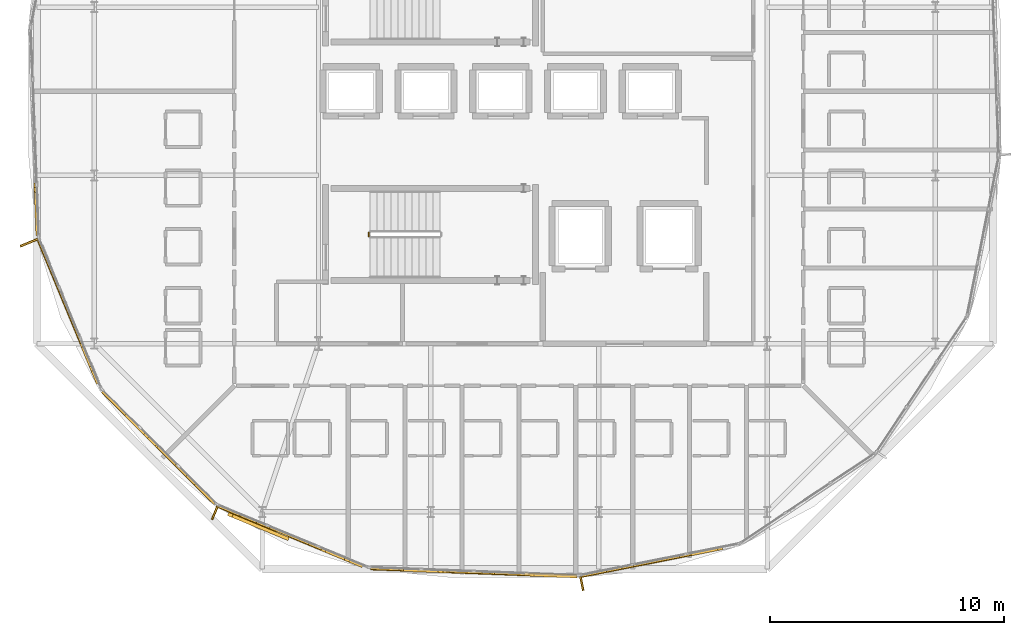
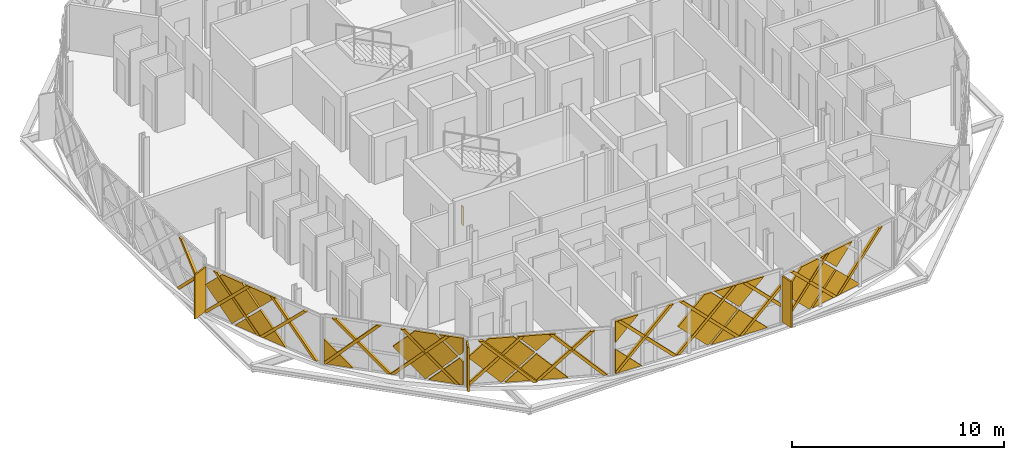
# One storey, part 20 of 24: 41 coverings, 3 shading devices, 1 railing.
"""IFC4 building model written with IfcOpenShell, lengths in metres."""

from ifc_helpers import new_model, si_unit, direction, frame, origin, origin_2d, place, context, subcontext, project, spatial, polyline, rectangle, circle, outline, extrude, material, layer, layer_set, type_object, element, save


model = new_model("IFC4")

# Units and contexts
model_context = context("Model", 3, precision=1e-05, world=origin(), true_north=direction((0.0, 1.0)))
body_context = subcontext(model_context, "Body", "Model", "MODEL_VIEW")
ifc_project = project(units=[si_unit("LENGTHUNIT", "METRE"), si_unit("AREAUNIT", "SQUARE_METRE"), si_unit("VOLUMEUNIT", "CUBIC_METRE"), si_unit("PLANEANGLEUNIT", "RADIAN"), si_unit("MASSUNIT", "GRAM", prefix="KILO")], contexts=[model_context])

# Site, building, storey
site_placement = place(None, origin())
site = spatial("IfcSite", under=ifc_project, at=site_placement, CompositionType="ELEMENT")
building_placement = place(site_placement, origin())
building = spatial("IfcBuilding", under=site, at=building_placement, Name="Zevrakil Square Congress Hotel", CompositionType="ELEMENT")
storey_placement = place(building_placement, frame((0.0, 0.0, 31.699951171875)))
storey = spatial("IfcBuildingStorey", under=building, at=storey_placement, Name="L09", CompositionType="ELEMENT", Elevation=31.699951171875)

# Coverings
ifc_material_1 = material(Name="Architectural White Fibre-C GRC", Category="concrete")
ifc_layer_1 = layer(ifc_material_1, 0.06494140625)
ifc_layer_set_1 = layer_set([ifc_layer_1], Name="Architectural White Fibre-C GRC")
covering_type_1 = type_object("IfcCoveringType", Name="COV-DIA-WHITE", PredefinedType="CLADDING", material=ifc_layer_set_1)
covering_1_placement = place(storey_placement, frame((151.273681640625, 7.4482421875, 1.590087890625), z_axis=(0.195074358725, -0.980788280172, 0.000586553491), x_axis=(0.693609627274, 0.137532945708, -0.707099974401)))
element("IfcCovering", 1, at=covering_1_placement, inside=storey, type_object=covering_type_1, Name="L09 45-degree white GRC diamond facade cassette 2933", PredefinedType="CLADDING", context=body_context, shape_type="SweptSolid", body=[
    extrude(outline(polyline([(0.0, 0.0), (2.135496846686384, 0.0), (6.252147105900718e-05, -2.1353939480228528), (0.0, 0.0)])), origin(), (0.0, 0.0, -1.0), 0.1201171875),
])
covering_2_placement = place(storey_placement, frame((151.185546875, 7.4306640625, 1.679931640625), z_axis=(0.195078415916, -0.980787456058, 0.000614558778), x_axis=(-0.693480466559, -0.138376160193, -0.707062147757)))
element("IfcCovering", 2, at=covering_2_placement, inside=storey, type_object=covering_type_1, Name="L09 45-degree white GRC diamond facade cassette 2934", PredefinedType="CLADDING", context=body_context, shape_type="SweptSolid", body=[
    extrude(outline(polyline([(0.0, 0.0), (2.2485204282701696, -2.220446049250313e-16), (2.248599375320655, -2.2345065726326294), (2.2346169451526086, -2.2484907627510533), (0.7000792548660321, -2.2487617419884307), (2.374748822731032e-05, -1.5487943335127947), (0.0, 0.0)])), origin(), (0.0, 0.0, -1.0), 0.1201171875),
])
covering_3_placement = place(storey_placement, frame((151.273681640625, 7.4482421875, 1.77001953125), z_axis=(0.195088115794, -0.980785458855, 0.00071468457), x_axis=(-0.693492576335, -0.137427312625, 0.707235307598)))
element("IfcCovering", 3, at=covering_3_placement, inside=storey, type_object=covering_type_1, Name="L09 45-degree white GRC diamond facade cassette 2935", PredefinedType="CLADDING", context=body_context, shape_type="SweptSolid", body=[
    extrude(outline(polyline([(0.0, 0.0), (1.4212058452501029, -1.1102230246251565e-16), (0.0003153849459661684, -1.421407860349186), (0.0, 0.0)])), origin(), (0.0, 0.0, -1.0), 0.1201171875),
])
covering_4_placement = place(storey_placement, frame((126.02880859375, 18.197021484375, 1.590087890625), z_axis=(-0.923880735009, -0.382680146954, 0.000540931678), x_axis=(0.270254610078, -0.653458270391, -0.707074772983)))
element("IfcCovering", 4, at=covering_4_placement, inside=storey, type_object=covering_type_1, Name="L09 45-degree white GRC diamond facade cassette 3047", PredefinedType="CLADDING", context=body_context, shape_type="SweptSolid", body=[
    extrude(outline(polyline([(0.0, 0.0), (2.135572959638723, -2.220446049250313e-16), (-0.0001106088210092171, -2.135490856824391), (0.0, 0.0)])), origin(), (0.0, 0.0, -1.0), 0.1201171875),
])
covering_5_placement = place(storey_placement, frame((125.994384765625, 18.280029296875, 1.679931640625), z_axis=(-0.923902845138, -0.382626702795, 0.00058228254), x_axis=(-0.270956088918, 0.653183352731, -0.707060326701)))
element("IfcCovering", 5, at=covering_5_placement, inside=storey, type_object=covering_type_1, Name="L09 45-degree white GRC diamond facade cassette 3048", PredefinedType="CLADDING", context=body_context, shape_type="SweptSolid", body=[
    extrude(outline(polyline([(0.0, 0.0), (2.2485262058963897, 0.0), (2.2485302153728073, -2.234425801271755), (2.2345478212168612, -2.2484100279377883), (0.841567424737828, -2.2486734724679636), (0.00010801478244593099, -1.4073243506448292), (0.0, 0.0)])), origin(), (0.0, 0.0, -1.0), 0.1201171875),
])
covering_6_placement = place(storey_placement, frame((126.029052734375, 18.197021484375, 1.77001953125), z_axis=(-0.923829248678, -0.382804410534, 0.000550056839), x_axis=(-0.27030782475, 0.653355186851, 0.707149686907)))
element("IfcCovering", 6, at=covering_6_placement, inside=storey, type_object=covering_type_1, Name="L09 45-degree white GRC diamond facade cassette 3049", PredefinedType="CLADDING", context=body_context, shape_type="SweptSolid", body=[
    extrude(outline(polyline([(0.0, 0.0), (1.2798270488287815, -1.1102230246251565e-16), (5.08570842867595e-05, -1.2799319013302108), (0.0, 0.0)])), origin(), (0.0, 0.0, -1.0), 0.1201171875),
])
covering_7_placement = place(storey_placement, frame((128.51171875, 13.729736328125, 0.080078125), z_axis=(-0.707106696378, -0.707106696378, 0.000489770872), x_axis=(-0.707106781187, 0.707106781187, 0.0)))
element("IfcCovering", 7, at=covering_7_placement, inside=storey, type_object=covering_type_1, Name="L09 45-degree white GRC diamond facade cassette 3054", PredefinedType="CLADDING", context=body_context, shape_type="SweptSolid", body=[
    extrude(outline(polyline([(0.0, 0.0), (1.4100703585770802, 0.0), (1.4100703585770802, -1.4099122784767215), (0.0, 0.0)])), origin(), (0.0, 0.0, -1.0), 0.1201171875),
])
covering_8_placement = place(storey_placement, frame((132.1962890625, 10.04638671875, 1.590087890625), z_axis=(-0.707131996288, -0.707081337668, 0.000567227862), x_axis=(0.499744388128, -0.500347388263, -0.707041750955)))
element("IfcCovering", 8, at=covering_8_placement, inside=storey, type_object=covering_type_1, Name="L09 45-degree white GRC diamond facade cassette 3055", PredefinedType="CLADDING", context=body_context, shape_type="SweptSolid", body=[
    extrude(outline(polyline([(0.0, 0.0), (0.26242709034075595, -2.7755575615628914e-17), (1.198877946036626, -0.9366227718015449), (-0.00020670090053709345, -2.1354873319760017), (0.0, 0.0)])), origin(), (0.0, 0.0, -1.0), 0.1201171875),
])
covering_9_placement = place(storey_placement, frame((132.1328125, 10.110107421875, 1.679931640625), z_axis=(-0.707058693062, -0.70715460033, 0.00061302236), x_axis=(-0.500357763627, 0.499676943523, -0.70708207479)))
element("IfcCovering", 9, at=covering_9_placement, inside=storey, type_object=covering_type_1, Name="L09 45-degree white GRC diamond facade cassette 3056", PredefinedType="CLADDING", context=body_context, shape_type="SweptSolid", body=[
    extrude(outline(polyline([(0.0, 0.0), (2.24845711423834, 2.220446049250313e-16), (2.2487353541548294, -2.248579102470821), (0.7001314465566927, -2.248896930265378), (3.38237140101727e-05, -1.5488480562446), (0.0, 0.0)])), origin(), (0.0, 0.0, -1.0), 0.1201171875),
])
covering_10_placement = place(storey_placement, frame((132.1962890625, 10.04638671875, 1.77001953125), z_axis=(-0.707082818632, -0.707130415201, 0.000680803282), x_axis=(-0.499662734915, 0.500309901898, 0.707125981279)))
element("IfcCovering", 10, at=covering_10_placement, inside=storey, type_object=covering_type_1, Name="L09 45-degree white GRC diamond facade cassette 3057", PredefinedType="CLADDING", context=body_context, shape_type="SweptSolid", body=[
    extrude(outline(polyline([(0.0, 0.0), (1.4214256115779025, 2.220446049250313e-16), (0.5796517708232809, -0.8418199076616137), (-1.6900129689967347e-05, -0.2624270937668559), (0.0, 0.0)])), origin(), (0.0, 0.0, -1.0), 0.1201171875),
])
covering_11_placement = place(storey_placement, frame((135.532958984375, 8.538330078125, 1.590087890625), z_axis=(-0.382611128731, -0.923909273244, 0.000615618294), x_axis=(0.653140417013, -0.27095095192, -0.707101956805)))
element("IfcCovering", 11, at=covering_11_placement, inside=storey, type_object=covering_type_1, Name="L09 45-degree white GRC diamond facade cassette 3062", PredefinedType="CLADDING", context=body_context, shape_type="SweptSolid", body=[
    extrude(outline(polyline([(0.0, 0.0), (2.13549085968891, 0.0), (-4.4462938671108176e-05, -2.1355069919827674), (0.0, 0.0)])), origin(), (0.0, 0.0, -1.0), 0.1201171875),
])
covering_12_placement = place(storey_placement, frame((135.44970703125, 8.57275390625, 1.679931640625), z_axis=(-0.382684520181, -0.923878902691, 0.000575478893), x_axis=(-0.653457186754, 0.270231344112, -0.707084666598)))
element("IfcCovering", 12, at=covering_12_placement, inside=storey, type_object=covering_type_1, Name="L09 45-degree white GRC diamond facade cassette 3063", PredefinedType="CLADDING", context=body_context, shape_type="SweptSolid", body=[
    extrude(outline(polyline([(0.0, 0.0), (2.2484488560231837, 0.0), (2.2485193720370895, -2.2345692460699214), (2.2345364965501626, -2.2485529915616254), (0.8413418647747587, -2.2485542253091104), (-8.859633963920199e-05, -1.4071761527482436), (0.0, 0.0)])), origin(), (0.0, 0.0, -1.0), 0.1201171875),
])
covering_13_placement = place(storey_placement, frame((135.532958984375, 8.538330078125, 1.77001953125), z_axis=(-0.38264155251, -0.923896593124, 0.000726297015), x_axis=(-0.653110918223, 0.271048660863, 0.707091756382)))
element("IfcCovering", 13, at=covering_13_placement, inside=storey, type_object=covering_type_1, Name="L09 45-degree white GRC diamond facade cassette 3064", PredefinedType="CLADDING", context=body_context, shape_type="SweptSolid", body=[
    extrude(outline(polyline([(0.0, 0.0), (1.2799319023405937, 0.0), (-4.2424000285645747e-05, -1.2799206087006725), (0.0, 0.0)])), origin(), (0.0, 0.0, -1.0), 0.1201171875),
])
covering_14_placement = place(storey_placement, frame((140.4423828125, 7.077392578125, 0.080078125), z_axis=(-0.038266868807, -0.999267420307, 0.000519099959), x_axis=(-0.999267554941, 0.038266873963, 0.0)))
element("IfcCovering", 14, at=covering_14_placement, inside=storey, type_object=covering_type_1, Name="L09 45-degree white GRC diamond facade cassette 3069", PredefinedType="CLADDING", context=body_context, shape_type="SweptSolid", body=[
    extrude(outline(polyline([(0.0, 0.0), (1.4099682711690467, -3.3881317890172014e-21), (1.4099962986646253, -1.4099122993358575), (0.0, 0.0)])), origin(), (0.0, 0.0, -1.0), 0.1201171875),
])
covering_15_placement = place(storey_placement, frame((145.648681640625, 6.87939453125, 1.590087890625), z_axis=(-0.038156797591, -0.99927155725, 0.000643170223), x_axis=(0.706611906903, -0.027436799491, -0.707069186895)))
element("IfcCovering", 15, at=covering_15_placement, inside=storey, type_object=covering_type_1, Name="L09 45-degree white GRC diamond facade cassette 3070", PredefinedType="CLADDING", context=body_context, shape_type="SweptSolid", body=[
    extrude(outline(polyline([(0.0, 0.0), (2.135589831394509, 0.0), (-9.768554505296123e-07, -2.135364626428455), (0.0, 0.0)])), origin(), (0.0, 0.0, -1.0), 0.1201171875),
])
covering_16_placement = place(storey_placement, frame((145.558837890625, 6.8828125, 1.679931640625), z_axis=(-0.03821906981, -0.999269223756, 0.000566706289), x_axis=(-0.706638437158, 0.026625818176, -0.707073677163)))
element("IfcCovering", 16, at=covering_16_placement, inside=storey, type_object=covering_type_1, Name="L09 45-degree white GRC diamond facade cassette 3071", PredefinedType="CLADDING", context=body_context, shape_type="SweptSolid", body=[
    extrude(outline(polyline([(0.0, 0.0), (2.248483901407563, -2.220446049250313e-16), (2.2487464735110394, -2.2485366895807988), (0.25463699878034474, -2.248782545825134), (-2.0252730609016112e-05, -1.9941491285528423), (0.0, 0.0)])), origin(), (0.0, 0.0, -1.0), 0.1201171875),
])
covering_17_placement = place(storey_placement, frame((139.033447265625, 7.13232421875, 1.8701171875), z_axis=(-0.038225589729, -0.999268950357, 0.000607571031), x_axis=(0.000200120032, 0.000600360096, 0.99999979976)))
element("IfcCovering", 17, at=covering_17_placement, inside=storey, type_object=covering_type_1, Name="L09 45-degree white GRC diamond facade cassette 3072", PredefinedType="CLADDING", context=body_context, shape_type="SweptSolid", body=[
    extrude(outline(polyline([(0.0, 0.0), (1.219970947412173, 2.710505431213761e-20), (1.2201868972513605, -1.2198856935343574), (0.0, 0.0)])), origin(), (0.0, 0.0, -1.0), 0.1201171875),
])
covering_18_placement = place(storey_placement, frame((145.648681640625, 6.87939453125, 1.77001953125), z_axis=(-0.03828395643, -0.999266746814, 0.000554429488), x_axis=(-0.7065784803, 0.027462794903, 0.707101581156)))
element("IfcCovering", 18, at=covering_18_placement, inside=storey, type_object=covering_type_1, Name="L09 45-degree white GRC diamond facade cassette 3073", PredefinedType="CLADDING", context=body_context, shape_type="SweptSolid", body=[
    extrude(outline(polyline([(0.0, 0.0), (1.866872305981455, 0.0), (1.2771016975055005e-05, -1.8668326515089118), (0.0, 0.0)])), origin(), (0.0, 0.0, -1.0), 0.1201171875),
])
ifc_material_2 = material(Name="Anodised Champagne Aluminium", Category="aluminium")
ifc_layer_2 = layer(ifc_material_2, 0.0849609375)
ifc_layer_set_2 = layer_set([ifc_layer_2], Name="Anodised Champagne Aluminium")
covering_type_2 = type_object("IfcCoveringType", Name="COV-DIAGRID-45", PredefinedType="MOLDING", material=ifc_layer_set_2)
covering_19_placement = place(storey_placement, frame((148.166015625, 6.8037109375, 0.080078125), z_axis=(0.195546814739, -0.980694357515, 0.000142772506), x_axis=(-0.98069436751, -0.195546816733, -3.526e-09)))
element("IfcCovering", 19, at=covering_19_placement, inside=storey, type_object=covering_type_2, Name="L09 45-degree aluminium diagrid rib 2936", PredefinedType="MOLDING", context=body_context, shape_type="SweptSolid", body=[
    extrude(outline(polyline([(0.0, 0.0), (0.0861359818146956, 4.235164736271502e-22), (0.08613598137052893, -0.1259765612160476), (-2.482573837165113, -2.695068378538668), (-2.6949213113669033, -2.69506837488321), (0.0, 0.0)])), origin(), (0.0, 0.0, -1.0), 0.14501953125),
])
covering_20_placement = place(storey_placement, frame((151.461181640625, 7.458984375, 0.080078125), z_axis=(0.195230031375, -0.980757355257, 0.000494932637), x_axis=(-0.980757475401, -0.195230055178, 2.24052e-07)))
element("IfcCovering", 20, at=covering_20_placement, inside=storey, type_object=covering_type_2, Name="L09 45-degree aluminium diagrid rib 2937", PredefinedType="MOLDING", context=body_context, shape_type="SweptSolid", body=[
    extrude(outline(polyline([(0.0, 0.0), (0.21182092062778818, 0.0), (-2.4830995181155475, -2.695069245808016), (-2.6952075450740436, -2.6950693407901056), (0.0, 0.0)])), origin(), (0.0, 0.0, -1.0), 0.14501953125),
])
covering_21_placement = place(storey_placement, frame((148.452880859375, 6.8623046875, 2.775146484375), z_axis=(0.195673274055, -0.980668408794, 0.001200755303), x_axis=(0.980669115765, 0.195673415118, 0.0)))
element("IfcCovering", 21, at=covering_21_placement, inside=storey, type_object=covering_type_2, Name="L09 45-degree aluminium diagrid rib 2938", PredefinedType="MOLDING", context=body_context, shape_type="SweptSolid", body=[
    extrude(outline(polyline([(0.0, 0.0), (0.21210804863334146, 0.0), (2.9071266052168188, -2.6950703022697997), (2.695018556583477, -2.6950703022697997), (0.0, 0.0)])), origin(), (0.0, 0.0, -1.0), 0.14501953125),
])
covering_22_placement = place(storey_placement, frame((124.62890625, 23.454345703125, 0.080078125), z_axis=(-0.999283555016, -0.037832596529, 0.001035043295), x_axis=(-0.037832616918, 0.999284090285, -1.1882e-07)))
element("IfcCovering", 22, at=covering_22_placement, inside=storey, type_object=covering_type_2, Name="L09 45-degree aluminium diagrid rib 3043", PredefinedType="MOLDING", context=body_context, shape_type="SweptSolid", body=[
    extrude(outline(polyline([(0.0, 0.0), (0.21231112080472014, -1.6940658945086007e-21), (-2.0232647887782442, -2.2353525194781594), (-2.023255527090786, -2.0231941774831723), (0.0, 0.0)])), origin(), (0.0, 0.0, -1.0), 0.14501953125),
])
covering_23_placement = place(storey_placement, frame((124.6298828125, 23.4765625, 3.090087890625), z_axis=(-0.99924091742, -0.038932629315, 0.001356218235), x_axis=(0.038932665503, -0.999241836372, 2.82072e-07)))
element("IfcCovering", 23, at=covering_23_placement, inside=storey, type_object=covering_type_2, Name="L09 45-degree aluminium diagrid rib 3046", PredefinedType="MOLDING", context=body_context, shape_type="SweptSolid", body=[
    extrude(outline(polyline([(0.0, 0.0), (0.21207656850544113, 0.0), (2.0453987447087756, -1.8332542160540115), (2.045389179750667, -2.045656695319387), (0.0, 0.0)])), origin(), (0.0, 0.0, -1.0), 0.14501953125),
])
covering_24_placement = place(storey_placement, frame((124.790283203125, 21.119384765625, 0.080078125), z_axis=(-0.923944373947, -0.382526090638, 0.0007640899), x_axis=(-0.382526202349, 0.923944643643, -6.2767e-08)))
element("IfcCovering", 24, at=covering_24_placement, inside=storey, type_object=covering_type_2, Name="L09 45-degree aluminium diagrid rib 3050", PredefinedType="MOLDING", context=body_context, shape_type="SweptSolid", body=[
    extrude(outline(polyline([(0.0, 0.0), (0.08614428494743845, 0.0), (0.08605088685416559, -0.12597669807708173), (-2.3829082403753556, -2.594971289001632), (-2.5951418278332374, -2.5949713698906427), (0.0, 0.0)])), origin(), (0.0, 0.0, -1.0), 0.14501953125),
])
covering_25_placement = place(storey_placement, frame((126.076171875, 18.01513671875, 0.080078125), z_axis=(-0.92384130708, -0.382775370223, 0.000505256113), x_axis=(-0.382775418904, 0.923841425074, 3.7988e-07)))
element("IfcCovering", 25, at=covering_25_placement, inside=storey, type_object=covering_type_2, Name="L09 45-degree aluminium diagrid rib 3051", PredefinedType="MOLDING", context=body_context, shape_type="SweptSolid", body=[
    extrude(outline(polyline([(0.0, 0.0), (0.21214016196546248, -6.776263578034403e-21), (-2.3829075320831508, -2.594971939572244), (-2.5949155978557004, -2.594972100697881), (0.0, 0.0)])), origin(), (0.0, 0.0, -1.0), 0.14501953125),
])
covering_26_placement = place(storey_placement, frame((124.942138671875, 20.757080078125, 2.675048828125), z_axis=(-0.924044876383, -0.382283986242, 0.000142456204), x_axis=(0.382283990117, -0.924044885761, -3.1337e-08)))
element("IfcCovering", 26, at=covering_26_placement, inside=storey, type_object=covering_type_2, Name="L09 45-degree aluminium diagrid rib 3052", PredefinedType="MOLDING", context=body_context, shape_type="SweptSolid", body=[
    extrude(outline(polyline([(0.0, 0.0), (0.2121402167931065, 0.0), (2.807063744350262, -2.5949706414915), (2.5951491244530933, -2.5949706547800178), (0.0, 0.0)])), origin(), (0.0, 0.0, -1.0), 0.14501953125),
])
covering_27_placement = place(storey_placement, frame((126.22802734375, 17.65283203125, 2.675048828125), z_axis=(-0.923925570479, -0.382571920528, 0.000515596091), x_axis=(0.382571971249, -0.92392569334, -2.74116e-07)))
element("IfcCovering", 27, at=covering_27_placement, inside=storey, type_object=covering_type_2, Name="L09 45-degree aluminium diagrid rib 3053", PredefinedType="MOLDING", context=body_context, shape_type="SweptSolid", body=[
    extrude(outline(polyline([(0.0, 0.0), (0.21214019194507489, -6.776263578034403e-21), (2.8072896905951668, -2.594970278525891), (2.5950560972899233, -2.5949703948533673), (0.0, 0.0)])), origin(), (0.0, 0.0, -1.0), 0.14501953125),
])
covering_28_placement = place(storey_placement, frame((127.5576171875, 14.648193359375, 0.080078125), z_axis=(-0.706983956078, -0.707229437499, 0.000456709621), x_axis=(-0.707229510936, 0.706984030131, 9.94526e-07)))
element("IfcCovering", 28, at=covering_28_placement, inside=storey, type_object=covering_type_2, Name="L09 45-degree aluminium diagrid rib 3058", PredefinedType="MOLDING", context=body_context, shape_type="SweptSolid", body=[
    extrude(outline(polyline([(0.0, 0.0), (0.08614408099507039, -3.3881317890172014e-21), (0.08614420628208376, -0.12597654936160965), (-2.482812456699232, -2.6950711391305653), (-2.6949790445229764, -2.695071412159431), (0.0, 0.0)])), origin(), (0.0, 0.0, -1.0), 0.14501953125),
])
covering_29_placement = place(storey_placement, frame((129.93359375, 12.2724609375, 0.080078125), z_axis=(-0.707106663683, -0.707106663683, 0.000576497869), x_axis=(-0.707106781187, 0.707106781187, 0.0)))
element("IfcCovering", 29, at=covering_29_placement, inside=storey, type_object=covering_type_2, Name="L09 45-degree aluminium diagrid rib 3059", PredefinedType="MOLDING", context=body_context, shape_type="SweptSolid", body=[
    extrude(outline(polyline([(0.0, 0.0), (0.21199392756276378, 0.0), (-2.482987508253446, -2.6950688072278175), (-2.694981435816209, -2.6950688072278175), (0.0, 0.0)])), origin(), (0.0, 0.0, -1.0), 0.14501953125),
])
covering_30_placement = place(storey_placement, frame((127.76611328125, 14.4423828125, 2.775146484375), z_axis=(-0.707106636121, -0.707106636121, 0.000640553163), x_axis=(0.707106781187, -0.707106781187, 0.0)))
element("IfcCovering", 30, at=covering_30_placement, inside=storey, type_object=covering_type_2, Name="L09 45-degree aluminium diagrid rib 3060", PredefinedType="MOLDING", context=body_context, shape_type="SweptSolid", body=[
    extrude(outline(polyline([(0.0, 0.0), (0.21199392756276378, 0.0), (2.907147996870474, -2.6950689122797016), (2.694808802324709, -2.6950689122797016), (0.0, 0.0)])), origin(), (0.0, 0.0, -1.0), 0.14501953125),
])
covering_31_placement = place(storey_placement, frame((130.141845703125, 12.06640625, 2.775146484375), z_axis=(-0.706818565447, -0.707394150598, 0.001015499266), x_axis=(0.707394515641, -0.7068189296, 4.12972e-07)))
element("IfcCovering", 31, at=covering_31_placement, inside=storey, type_object=covering_type_2, Name="L09 45-degree aluminium diagrid rib 3061", PredefinedType="MOLDING", context=body_context, shape_type="SweptSolid", body=[
    extrude(outline(polyline([(0.0, 0.0), (0.21216661374355567, -1.3552527156068805e-20), (2.9069733772636006, -2.6950709495049177), (2.694979467259215, -2.6950707743384212), (0.0, 0.0)])), origin(), (0.0, 0.0, -1.0), 0.14501953125),
])
covering_32_placement = place(storey_placement, frame((132.5908203125, 9.72900390625, 0.080078125), z_axis=(-0.382694088277, -0.923874926414, 0.00059593811), x_axis=(-0.923875090481, 0.382694156199, -5.9379e-08)))
element("IfcCovering", 32, at=covering_32_placement, inside=storey, type_object=covering_type_2, Name="L09 45-degree aluminium diagrid rib 3065", PredefinedType="MOLDING", context=body_context, shape_type="SweptSolid", body=[
    extrude(outline(polyline([(0.0, 0.0), (0.08614428481046034, 0.0), (0.08614427733005549, -0.12597654013019907), (-2.382689594886837, -2.594971030313631), (-2.5949232012516923, -2.5949709672257084), (0.0, 0.0)])), origin(), (0.0, 0.0, -1.0), 0.14501953125),
])
covering_33_placement = place(storey_placement, frame((135.69482421875, 8.443115234375, 0.080078125), z_axis=(-0.383062711412, -0.923721793586, 0.001003583466), x_axis=(-0.923722258763, 0.383062904319, 0.0)))
element("IfcCovering", 33, at=covering_33_placement, inside=storey, type_object=covering_type_2, Name="L09 45-degree aluminium diagrid rib 3066", PredefinedType="MOLDING", context=body_context, shape_type="SweptSolid", body=[
    extrude(outline(polyline([(0.0, 0.0), (0.21223362327273487, 0.0), (-2.382914146545441, -2.594972009926989), (-2.5951477698181753, -2.594972009926989), (0.0, 0.0)])), origin(), (0.0, 0.0, -1.0), 0.14501953125),
])
covering_34_placement = place(storey_placement, frame((132.954345703125, 9.580078125, 2.675048828125), z_axis=(0.38326652239, 0.923637790444, 6.9843173e-05), x_axis=(0.923637792697, -0.383266523326, 1.5413e-08)))
element("IfcCovering", 34, at=covering_34_placement, inside=storey, type_object=covering_type_2, Name="L09 45-degree aluminium diagrid rib 3067", PredefinedType="MOLDING", context=body_context, shape_type="SweptSolid", body=[
    extrude(outline(polyline([(0.0, 0.0), (0.2120081206079828, 8.470329472543003e-22), (2.807057005954627, 2.5949707527189174), (2.594823387838661, 2.594970746180151), (0.0, 0.0)])), origin(), (0.0, 0.0, -1.0), 0.14501953125),
])
covering_35_placement = place(storey_placement, frame((136.05859375, 8.294189453125, 2.675048828125), z_axis=(-0.382775370223, -0.92384130708, 0.000505256113), x_axis=(0.923841425031, -0.382775419008, 1.57475e-07)))
element("IfcCovering", 35, at=covering_35_placement, inside=storey, type_object=covering_type_2, Name="L09 45-degree aluminium diagrid rib 3068", PredefinedType="MOLDING", context=body_context, shape_type="SweptSolid", body=[
    extrude(outline(polyline([(0.0, 0.0), (0.2119146147425493, 0.0), (2.8070563369577415, -2.5949714763925495), (2.594822723962253, -2.5949714095999066), (0.0, 0.0)])), origin(), (0.0, 0.0, -1.0), 0.14501953125),
])
covering_36_placement = place(storey_placement, frame((139.118408203125, 7.10302734375, 0.080078125), z_axis=(-0.038211995552, -0.999269484687, 0.000583411251), x_axis=(-0.999269654764, 0.038212001611, -7.62091e-07)))
element("IfcCovering", 36, at=covering_36_placement, inside=storey, type_object=covering_type_2, Name="L09 45-degree aluminium diagrid rib 3074", PredefinedType="MOLDING", context=body_context, shape_type="SweptSolid", body=[
    extrude(outline(polyline([(0.0, 0.0), (0.08599601428171268, -2.117582368135751e-22), (0.08600524737806627, -0.12597668339819376), (-2.797879603240274, -3.010008106580422), (-3.0101907179969, -3.010007977587089), (0.0, 0.0)])), origin(), (0.0, 0.0, -1.0), 0.14501953125),
])
covering_37_placement = place(storey_placement, frame((142.47607421875, 6.974609375, 0.080078125), z_axis=(-0.038565742965, -0.999255668462, 0.000890234028), x_axis=(-0.999256064408, 0.038565758702, 5.12033e-07)))
element("IfcCovering", 37, at=covering_37_placement, inside=storey, type_object=covering_type_2, Name="L09 45-degree aluminium diagrid rib 3075", PredefinedType="MOLDING", context=body_context, shape_type="SweptSolid", body=[
    extrude(outline(polyline([(0.0, 0.0), (0.2120765380131136, -8.470329472543003e-22), (-2.797874994809071, -3.010012390973345), (-3.0099421173537513, -3.010012608149127), (0.0, 0.0)])), origin(), (0.0, 0.0, -1.0), 0.14501953125),
])
covering_38_placement = place(storey_placement, frame((145.83349609375, 6.84619140625, 0.080078125), z_axis=(-0.038372729988, -0.999263200424, 0.000768031283), x_axis=(-0.999263495125, 0.038372741758, 5.90099e-07)))
element("IfcCovering", 38, at=covering_38_placement, inside=storey, type_object=covering_type_2, Name="L09 45-degree aluminium diagrid rib 3076", PredefinedType="MOLDING", context=body_context, shape_type="SweptSolid", body=[
    extrude(outline(polyline([(0.0, 0.0), (0.21207651049520426, 0.0), (-2.0233956997958624, -2.23535341579107), (-2.023395824990264, -2.0231952752392135), (0.0, 0.0)])), origin(), (0.0, 0.0, -1.0), 0.14501953125),
])
covering_39_placement = place(storey_placement, frame((139.096435546875, 7.105712890625, 3.090087890625), z_axis=(-0.038543587345, -0.99925688386, 0.000268204609), x_axis=(0.999256919801, -0.038543588689, 1.60036e-07)))
element("IfcCovering", 39, at=covering_39_placement, inside=storey, type_object=covering_type_2, Name="L09 45-degree aluminium diagrid rib 3077", PredefinedType="MOLDING", context=body_context, shape_type="SweptSolid", body=[
    extrude(outline(polyline([(0.0, 0.0), (0.21231108440774882, 0.0), (3.222151514322868, -3.0100103895456547), (3.0100749790682233, -3.010010321628386), (0.0, 0.0)])), origin(), (0.0, 0.0, -1.0), 0.14501953125),
])
covering_40_placement = place(storey_placement, frame((142.4541015625, 6.977294921875, 3.090087890625), z_axis=(-0.038565757095, -0.999256034568, 0.000244454955), x_axis=(0.999256064427, -0.038565758212, 1.40609e-07)))
element("IfcCovering", 40, at=covering_40_placement, inside=storey, type_object=covering_type_2, Name="L09 45-degree aluminium diagrid rib 3078", PredefinedType="MOLDING", context=body_context, shape_type="SweptSolid", body=[
    extrude(outline(polyline([(0.0, 0.0), (0.21206712254476592, 4.235164736271502e-22), (3.2221515899166198, -3.010010308624164), (3.01007505190354, -3.0100102489858536), (0.0, 0.0)])), origin(), (0.0, 0.0, -1.0), 0.14501953125),
])
covering_41_placement = place(storey_placement, frame((145.8115234375, 6.848876953125, 3.090087890625), z_axis=(-0.037786682675, -0.999285339937, 0.000987926859), x_axis=(0.999285827582, -0.037786701272, -1.58805e-07)))
element("IfcCovering", 41, at=covering_41_placement, inside=storey, type_object=covering_type_2, Name="L09 45-degree aluminium diagrid rib 3079", PredefinedType="MOLDING", context=body_context, shape_type="SweptSolid", body=[
    extrude(outline(polyline([(0.0, 0.0), (0.2123111194607041, 1.6940658945086007e-21), (2.045474861377121, -1.8332525229197254), (2.045484120376606, -2.0456550040367714), (0.0, 0.0)])), origin(), (0.0, 0.0, -1.0), 0.14501953125),
])

# Railing
ifc_material_3 = material(Name="Steel S355", Category="steel")
railing_type = type_object("IfcRailingType", Name="RLG-STAIR-GUARD-1100", PredefinedType="BALUSTRADE", material=ifc_material_3)
railing_placement = place(storey_placement, frame((138.949951171875, 21.39990234375, 0.0)))
element("IfcRailing", 42, at=railing_placement, inside=storey, type_object=railing_type, Name="L09 ST01 stair guard 4", PredefinedType="BALUSTRADE", context=body_context, shape_type="SweptSolid", body=[
    extrude(circle(Radius=0.02392578125, at=origin_2d()), frame((0.0, 0.0, 1.076171875), z_axis=(0.0, 1.0, 0.0), x_axis=(-1.0, 0.0, 0.0)), (0.0, 0.0, 1.0), 0.150146484375),
    extrude(circle(Radius=0.02099609375, at=origin_2d()), origin(), (0.0, 0.0, 1.0), 1.052001953125),
    extrude(circle(Radius=0.02099609375, at=origin_2d()), frame((0.0, 0.150146484375, 0.0)), (0.0, 0.0, 1.0), 1.052001953125),
])

# Shading devices
ifc_material_4 = material(Name="Aluminium Anodised Bronze", Category="aluminium")
shading_device_type_1 = type_object("IfcShadingDeviceType", Name="SHD-FIN-65", PredefinedType="USERDEFINED", material=ifc_material_4)
shading_device_1_placement = place(storey_placement, frame((148.06640625, 6.554443359375, 0.10009765625), z_axis=(0.0, 0.0, 1.0), x_axis=(0.195090322016, -0.980785280403, 0.0)))
element("IfcShadingDevice", 43, at=shading_device_1_placement, inside=storey, type_object=shading_device_type_1, Name="L09 aluminium solar shading fin 163", ObjectType="SOLAR FIN", PredefinedType="USERDEFINED", context=body_context, shape_type="SweptSolid", body=[
    extrude(rectangle(XDim=0.64990234375, YDim=0.080078125, at=origin_2d()), origin(), (0.0, 0.0, 1.0), 2.655029296875),
])
shading_device_2_placement = place(storey_placement, frame((132.36962890625, 9.576904296875, 0.10009765625), z_axis=(0.0, 0.0, 1.0), x_axis=(-0.382683432365, -0.923879532511, 0.0)))
element("IfcShadingDevice", 44, at=shading_device_2_placement, inside=storey, type_object=shading_device_type_1, Name="L09 aluminium solar shading fin 171", ObjectType="SOLAR FIN", PredefinedType="USERDEFINED", context=body_context, shape_type="SweptSolid", body=[
    extrude(rectangle(XDim=0.64990234375, YDim=0.080078125, at=origin_2d()), origin(), (0.0, 0.0, 1.0), 2.554931640625),
])
ifc_material_5 = material(Name="Aluminium Anodised Bronze", Category="aluminium")
shading_device_type_2 = type_object("IfcShadingDeviceType", Name="SHD-FIN-85", PredefinedType="USERDEFINED", material=ifc_material_5)
shading_device_3_placement = place(storey_placement, frame((124.43408203125, 21.1298828125, 0.10009765625), z_axis=(0.0, 0.0, 1.0), x_axis=(-0.923879532511, -0.382683432365, 0.0)))
element("IfcShadingDevice", 45, at=shading_device_3_placement, inside=storey, type_object=shading_device_type_2, Name="L09 aluminium solar shading fin 170", ObjectType="SOLAR FIN", PredefinedType="USERDEFINED", context=body_context, shape_type="SweptSolid", body=[
    extrude(rectangle(XDim=0.85009765625, YDim=0.080078125, at=origin_2d()), origin(), (0.0, 0.0, 1.0), 2.554931640625),
])

save(model, "model.ifc")
